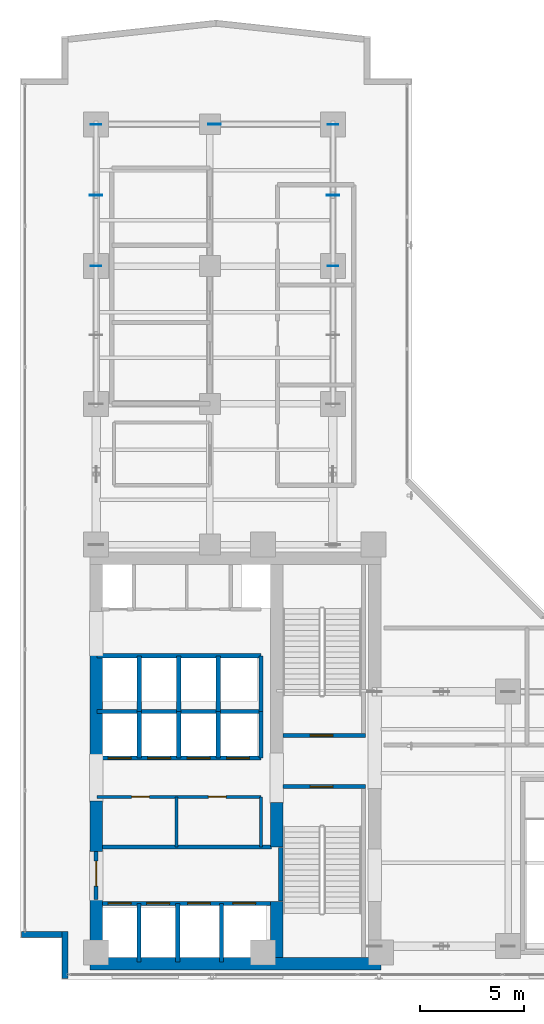
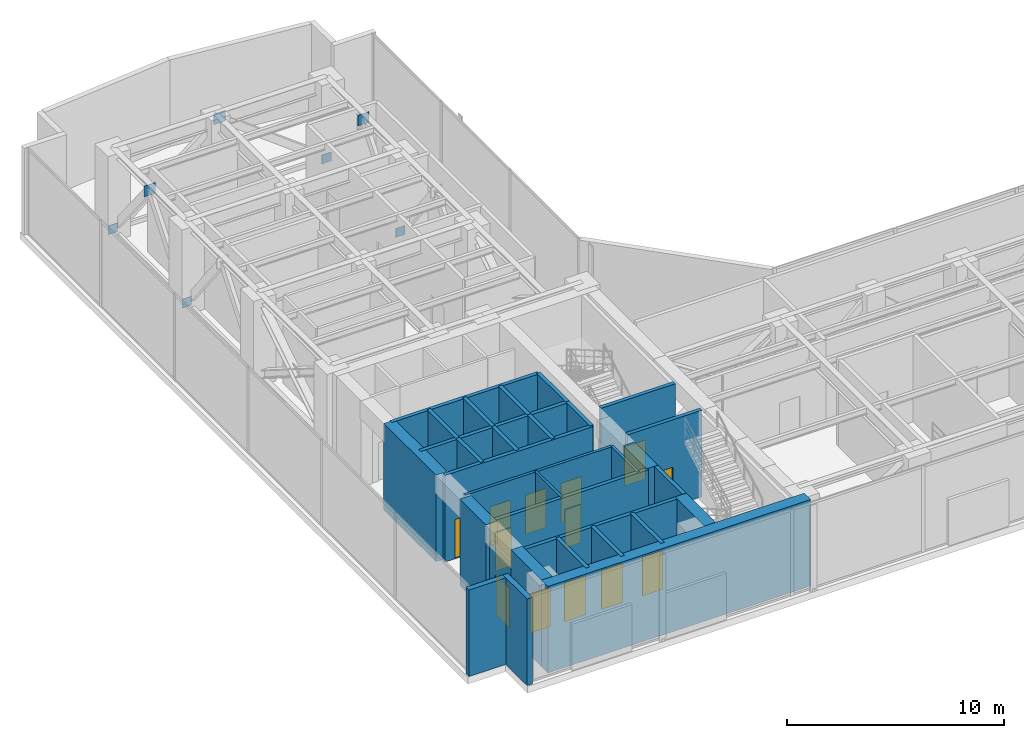
# One storey, part 30 of 36: 31 walls, 13 doors, 7 plates, 13 openings.
"""IFC4 building model written with IfcOpenShell, lengths in metres."""

from ifc_helpers import new_model, si_unit, direction, frame, frame_2d, origin, origin_with_axes, origin_2d, place, context, subcontext, project, spatial, rectangle, extrude, source, transform, mapped, material, layer, layer_set, type_object, element, fill, save


model = new_model("IFC4")

# Units and contexts
model_context = context("Model", 3, precision=1e-05, world=origin(), true_north=direction((0.0, 1.0)))
body_context = subcontext(model_context, "Body", "Model", "MODEL_VIEW")
ifc_project = project(units=[si_unit("LENGTHUNIT", "METRE"), si_unit("AREAUNIT", "SQUARE_METRE"), si_unit("VOLUMEUNIT", "CUBIC_METRE"), si_unit("PLANEANGLEUNIT", "RADIAN"), si_unit("MASSUNIT", "GRAM", prefix="KILO")], contexts=[model_context])

# Site, building, storey
site_placement = place(None, origin())
site = spatial("IfcSite", under=ifc_project, at=site_placement, CompositionType="ELEMENT")
building_placement = place(site_placement, origin())
building = spatial("IfcBuilding", under=site, at=building_placement, Name="Kolvaren Waterfront Exchange", CompositionType="ELEMENT")
storey_placement = place(building_placement, frame((0.0, 0.0, 199.39990234375)))
storey = spatial("IfcBuildingStorey", under=building, at=storey_placement, Name="L51", CompositionType="ELEMENT", Elevation=199.39990234375)

# Plates
ifc_material_1 = material(Name="Steel S460", Category="steel")
ifc_layer_1 = layer(ifc_material_1, 0.030029296875, Name="Steel S460")
ifc_layer_set_1 = layer_set([ifc_layer_1], Name="Steel S460")
plate_type_1 = type_object("IfcPlateType", Name="STR-PL-BN1", PredefinedType="SHEET", material=ifc_layer_set_1)
shared_shape_1 = source(origin_with_axes(), body_context, "Body", "SweptSolid", [
    extrude(rectangle(XDim=0.60009765625, YDim=0.030029296875, at=origin_2d()), origin(), (0.0, 0.0, 1.0), 0.60009765625),
])
for number, where, z_axis, x_axis, name in (
    (1, (7.449951171875, 41.199951171875, 4.2099609375), (0.0, 0.0, 1.0), (1.0, 0.0, 0.0), "L51 belt-truss chevron apex gusset BT5"),
    (2, (18.800048828125, 41.199951171875, 4.2099609375), (0.0, 0.0, 1.0), (1.0, 0.0, 0.0), "L51 belt-truss chevron apex gusset BT7"),
    (3, (13.125, 44.60009765625, 4.2099609375), (0.0, 0.0, 1.0), (1.0, 0.0, 0.0), "L51 belt-truss chevron apex gusset BT8"),
):
    element("IfcPlate", number, at=place(storey_placement, frame(where, z_axis=z_axis, x_axis=x_axis)), inside=storey, type_object=plate_type_1, Name=name, PredefinedType="SHEET", context=body_context, shape_type="MappedRepresentation", body=[
        mapped(shared_shape_1, transform((0.0, 0.0, 0.0), x_axis=(1.0, 0.0, 0.0), y_axis=(0.0, 1.0, 0.0), z_axis=(0.0, 0.0, 1.0), scale=1.0)),
    ])
ifc_material_2 = material(Name="Steel S355", Category="steel")
ifc_layer_2 = layer(ifc_material_2, 0.02490234375, Name="Steel S355")
ifc_layer_set_2 = layer_set([ifc_layer_2], Name="Steel S355")
plate_type_2 = type_object("IfcPlateType", Name="STR-PL-BN2", PredefinedType="SHEET", material=ifc_layer_set_2)
shared_shape_2 = source(origin_with_axes(), body_context, "Body", "SweptSolid", [
    extrude(rectangle(XDim=0.5, YDim=0.02490234375, at=origin_2d()), origin(), (0.0, 0.0, 1.0), 0.5),
])
for number, where, z_axis, x_axis, name in (
    (4, (7.449951171875, 37.800048828125, 0.0), (0.0, 0.0, 1.0), (1.0, 0.0, 0.0), "L51 belt-truss end cap plate BT4.2"),
    (5, (7.449951171875, 44.60009765625, 0.0), (0.0, 0.0, 1.0), (1.0, 0.0, 0.0), "L51 belt-truss end cap plate BT5.2"),
    (6, (18.800048828125, 37.800048828125, 0.0), (0.0, 0.0, 1.0), (1.0, 0.0, 0.0), "L51 belt-truss end cap plate BT6.2"),
    (7, (18.800048828125, 44.60009765625, 0.0), (0.0, 0.0, 1.0), (1.0, 0.0, 0.0), "L51 belt-truss end cap plate BT7.2"),
):
    element("IfcPlate", number, at=place(storey_placement, frame(where, z_axis=z_axis, x_axis=x_axis)), inside=storey, type_object=plate_type_2, Name=name, PredefinedType="SHEET", context=body_context, shape_type="MappedRepresentation", body=[
        mapped(shared_shape_2, transform((0.0, 0.0, 0.0), x_axis=(1.0, 0.0, 0.0), y_axis=(0.0, 1.0, 0.0), z_axis=(0.0, 0.0, 1.0), scale=1.0)),
    ])

# Walls
ifc_material_3 = material(Name="Precast concrete C40/50", Category="concrete")
ifc_layer_3 = layer(ifc_material_3, 0.280029296875, Name="Precast concrete C40/50")
ifc_layer_set_3 = layer_set([ifc_layer_3], Name="Precast concrete C40/50")
wall_type_1 = type_object("IfcWallType", Name="ARC-EXT-TERR-280", PredefinedType="SOLIDWALL", material=ifc_layer_set_3)
wall_1_placement = place(storey_placement, frame((5.9599609375, 3.659912109375, 0.0), z_axis=(0.0, 0.0, 1.0), x_axis=(0.0, 1.0, 0.0)))
element("IfcWall", 8, at=wall_1_placement, inside=storey, type_object=wall_type_1, Name="L51 notched corner spandrel pier SW-A", PredefinedType="SOLIDWALL", context=body_context, shape_type="SweptSolid", body=[
    extrude(rectangle(XDim=2.239990234375, YDim=0.280029296875, at=frame_2d((1.1201171875, 0.0))), origin(), (0.0, 0.0, 1.0), 4.860107421875),
])
wall_2_placement = place(storey_placement, frame((3.860107421875, 5.760009765625, 0.0), z_axis=(0.0, 0.0, 1.0), x_axis=(1.0, 0.0, 0.0)))
element("IfcWall", 9, at=wall_2_placement, inside=storey, type_object=wall_type_1, Name="L51 notched corner spandrel pier SW-B", PredefinedType="SOLIDWALL", context=body_context, shape_type="SweptSolid", body=[
    extrude(rectangle(XDim=1.9599609375, YDim=0.280029296875, at=frame_2d((0.97998046875, 0.0))), origin(), (0.0, 0.0, 1.0), 4.860107421875),
])

# Wall, opening, door
ifc_layer_4 = layer(ifc_material_3, 0.199951171875, Name="Precast concrete C40/50")
ifc_layer_set_4 = layer_set([ifc_layer_4], Name="Precast concrete C40/50")
wall_type_2 = type_object("IfcWallType", Name="ARC-FIRE-200", PredefinedType="PARTITIONING", material=ifc_layer_set_4)
wall_3_placement = place(storey_placement, frame((16.39990234375, 12.85009765625, 0.0), z_axis=(0.0, 0.0, 1.0), x_axis=(1.0, 0.0, 0.0)))
wall_3 = element("IfcWall", 10, at=wall_3_placement, inside=storey, type_object=wall_type_2, Name="L51 interior wall PW-L51-ST1-THROAT-S", PredefinedType="PARTITIONING", context=body_context, shape_type="SweptSolid", body=[
    extrude(rectangle(XDim=3.960205078125, YDim=0.199951171875, at=frame_2d((1.97998046875, 0.0))), origin(), (0.0, 0.0, 1.0), 4.860107421875),
])
opening_1_placement = place(wall_3_placement, frame((1.3037109375, 0.0, 0.0)))
opening_1 = element("IfcOpeningElement", 11, at=opening_1_placement, cuts=wall_3, Name="Opening FD2", PredefinedType="OPENING", context=body_context, shape_type="SweptSolid", body=[
    extrude(rectangle(XDim=1.10009765625, YDim=2.199951171875, at=frame_2d((0.550048828125, 1.10009765625))), frame((0.0, 0.10986328125, 0.0), z_axis=(0.0, -1.0, 0.0), x_axis=(1.0, 0.0, 0.0)), (0.0, 0.0, 1.0), 0.219970703125),
])
ifc_material_4 = material(Name="Pressed steel smoke-seal fire door", Category="steel")
door_type_1 = type_object("IfcDoorType", Name="ARC-FD-1100", OperationType="NOTDEFINED", PredefinedType="DOOR", material=ifc_material_4)
door_1_placement = place(opening_1_placement, frame((1.10009765625, 0.0, 0.0), z_axis=(0.0, 0.0, 1.0), x_axis=(-1.0, 0.0, 0.0)))
door_1 = element("IfcDoor", 12, at=door_1_placement, inside=storey, type_object=door_type_1, Name="L51 door DR-L51-ST1-IN (FD2)", OperationType="SINGLE_SWING_RIGHT", OverallHeight=2.199951171875, OverallWidth=1.10009765625, PredefinedType="DOOR", context=body_context, shape_type="SweptSolid", body=[
    extrude(rectangle(XDim=1.10009765625, YDim=2.199951171875, at=frame_2d((0.550048828125, 1.10009765625))), frame((0.0, 0.02490234375, 0.0), z_axis=(0.0, -1.0, 0.0), x_axis=(1.0, 0.0, 0.0)), (0.0, 0.0, 1.0), 0.050048828125),
])
fill(opening_1, door_1)

wall_4_placement = place(storey_placement, frame((16.409912109375, 15.300048828125, 0.0), z_axis=(0.0, 0.0, 1.0), x_axis=(1.0, 0.0, 0.0)))
wall_4 = element("IfcWall", 13, at=wall_4_placement, inside=storey, type_object=wall_type_2, Name="L51 interior wall PW-L51-ST2-THROAT-N", PredefinedType="PARTITIONING", context=body_context, shape_type="SweptSolid", body=[
    extrude(rectangle(XDim=3.9501953125, YDim=0.199951171875, at=frame_2d((1.97509765625, 0.0))), origin(), (0.0, 0.0, 1.0), 4.860107421875),
])
opening_2_placement = place(wall_4_placement, frame((1.293701171875, 0.0, 0.0)))
opening_2 = element("IfcOpeningElement", 14, at=opening_2_placement, cuts=wall_4, Name="Opening FD2", PredefinedType="OPENING", context=body_context, shape_type="SweptSolid", body=[
    extrude(rectangle(XDim=1.10009765625, YDim=2.199951171875, at=frame_2d((0.550048828125, 1.10009765625))), frame((0.0, 0.10986328125, 0.0), z_axis=(0.0, -1.0, 0.0), x_axis=(1.0, 0.0, 0.0)), (0.0, 0.0, 1.0), 0.219970703125),
])
door_2_placement = place(opening_2_placement, origin())
door_2 = element("IfcDoor", 15, at=door_2_placement, inside=storey, type_object=door_type_1, Name="L51 door DR-L51-ST2-IN (FD2)", OperationType="SINGLE_SWING_LEFT", OverallHeight=2.199951171875, OverallWidth=1.10009765625, PredefinedType="DOOR", context=body_context, shape_type="SweptSolid", body=[
    extrude(rectangle(XDim=1.10009765625, YDim=2.199951171875, at=frame_2d((0.550048828125, 1.10009765625))), frame((0.0, 0.02490234375, 0.0), z_axis=(0.0, -1.0, 0.0), x_axis=(1.0, 0.0, 0.0)), (0.0, 0.0, 1.0), 0.050048828125),
])
fill(opening_2, door_2)

# Wall
wall_5_placement = place(storey_placement, frame((7.5, 9.949951171875, 0.0), z_axis=(0.0, 0.0, 1.0), x_axis=(1.0, 0.0, 0.0)))
element("IfcWall", 16, at=wall_5_placement, inside=storey, type_object=wall_type_2, Name="L51 interior wall PW-L51-FF-N", PredefinedType="PARTITIONING", context=body_context, shape_type="SweptSolid", body=[
    extrude(rectangle(XDim=8.35009765625, YDim=0.199951171875, at=frame_2d((4.175048828125, 0.0))), origin(), (0.0, 0.0, 1.0), 4.860107421875),
])

# Wall, opening, door
wall_6_placement = place(storey_placement, frame((7.449951171875, 7.449951171875, 0.0), z_axis=(0.0, 0.0, 1.0), x_axis=(0.0, 1.0, 0.0)))
wall_6 = element("IfcWall", 17, at=wall_6_placement, inside=storey, type_object=wall_type_2, Name="L51 interior wall PW-L51-FF-W-DOOR", PredefinedType="PARTITIONING", context=body_context, shape_type="SweptSolid", body=[
    extrude(rectangle(XDim=2.300048828125, YDim=0.199951171875, at=frame_2d((1.14990234375, 0.0))), origin(), (0.0, 0.0, 1.0), 3.840087890625),
])
opening_3_placement = place(wall_6_placement, frame((0.63330078125, 0.0, 0.0)))
opening_3 = element("IfcOpeningElement", 18, at=opening_3_placement, cuts=wall_6, Name="Opening FD3", PredefinedType="OPENING", context=body_context, shape_type="SweptSolid", body=[
    extrude(rectangle(XDim=1.199951171875, YDim=2.25, at=frame_2d((0.60009765625, 1.125))), frame((0.0, 0.10986328125, 0.0), z_axis=(0.0, -1.0, 0.0), x_axis=(1.0, 0.0, 0.0)), (0.0, 0.0, 1.0), 0.219970703125),
])
ifc_material_5 = material(Name="Pressed steel fire door", Category="steel")
door_type_2 = type_object("IfcDoorType", Name="ARC-FD-1200", OperationType="NOTDEFINED", PredefinedType="DOOR", material=ifc_material_5)
door_3_placement = place(opening_3_placement, frame((1.199951171875, 0.0, 0.0), z_axis=(0.0, 0.0, 1.0), x_axis=(-1.0, 0.0, 0.0)))
door_3 = element("IfcDoor", 19, at=door_3_placement, inside=storey, type_object=door_type_2, Name="L51 door DR-L51-FF-OUT (FD3)", OperationType="SINGLE_SWING_LEFT", OverallHeight=2.25, OverallWidth=1.199951171875, PredefinedType="DOOR", context=body_context, shape_type="SweptSolid", body=[
    extrude(rectangle(XDim=1.199951171875, YDim=2.25, at=frame_2d((0.60009765625, 1.125))), frame((0.0, 0.02490234375, 0.0), z_axis=(0.0, -1.0, 0.0), x_axis=(1.0, 0.0, 0.0)), (0.0, 0.0, 1.0), 0.050048828125),
])
fill(opening_3, door_3)

# Wall
ifc_material_6 = material(Name="Acoustic gypsum steel stud", Category="steel")
ifc_layer_5 = layer(ifc_material_6, 0.125, Name="Acoustic gypsum steel stud")
ifc_layer_set_5 = layer_set([ifc_layer_5], Name="Acoustic gypsum steel stud")
wall_type_3 = type_object("IfcWallType", Name="ARC-PART-125", PredefinedType="PARTITIONING", material=ifc_layer_set_5)
wall_7_placement = place(storey_placement, frame((11.300048828125, 9.949951171875, 0.0), z_axis=(0.0, 0.0, 1.0), x_axis=(0.0, 1.0, 0.0)))
element("IfcWall", 20, at=wall_7_placement, inside=storey, type_object=wall_type_3, Name="L51 interior wall PW-L51-REC-PL-MID", PredefinedType="PARTITIONING", context=body_context, shape_type="SweptSolid", body=[
    extrude(rectangle(XDim=2.41015625, YDim=0.125, at=frame_2d((1.205078125, 0.0))), origin(), (0.0, 0.0, 1.0), 4.860107421875),
])

# Wall, openings, doors
ifc_material_7 = material(Name="Gypsum fireboard steel stud", Category="steel")
ifc_layer_6 = layer(ifc_material_7, 0.14990234375, Name="Gypsum fireboard steel stud")
ifc_layer_set_6 = layer_set([ifc_layer_6], Name="Gypsum fireboard steel stud")
wall_type_4 = type_object("IfcWallType", Name="ARC-PART-150", PredefinedType="PARTITIONING", material=ifc_layer_set_6)
wall_8_placement = place(storey_placement, frame((7.5, 12.360107421875, 0.0), z_axis=(0.0, 0.0, 1.0), x_axis=(1.0, 0.0, 0.0)))
wall_8 = element("IfcWall", 21, at=wall_8_placement, inside=storey, type_object=wall_type_4, Name="L51 interior wall PW-L51-REC-PL-N", PredefinedType="PARTITIONING", context=body_context, shape_type="SweptSolid", body=[
    extrude(rectangle(XDim=7.85009765625, YDim=0.14990234375, at=frame_2d((3.925048828125, 0.0))), origin(), (0.0, 0.0, 1.0), 4.860107421875),
])
opening_4_placement = place(wall_8_placement, frame((1.64990234375, 0.0, 0.0)))
opening_4 = element("IfcOpeningElement", 22, at=opening_4_placement, cuts=wall_8, Name="Opening D01", PredefinedType="OPENING", context=body_context, shape_type="SweptSolid", body=[
    extrude(rectangle(XDim=0.85009765625, YDim=2.14990234375, at=frame_2d((0.425048828125, 1.074951171875))), frame((0.0, 0.0849609375, 0.0), z_axis=(0.0, -1.0, 0.0), x_axis=(1.0, 0.0, 0.0)), (0.0, 0.0, 1.0), 0.169921875),
])
opening_5_placement = place(wall_8_placement, frame((5.329345703125, 0.0, 0.0)))
opening_5 = element("IfcOpeningElement", 23, at=opening_5_placement, cuts=wall_8, Name="Opening D01", PredefinedType="OPENING", context=body_context, shape_type="SweptSolid", body=[
    extrude(rectangle(XDim=0.85009765625, YDim=2.14990234375, at=frame_2d((0.425048828125, 1.074951171875))), frame((0.0, 0.0849609375, 0.0), z_axis=(0.0, -1.0, 0.0), x_axis=(1.0, 0.0, 0.0)), (0.0, 0.0, 1.0), 0.169921875),
])
ifc_material_8 = material(Name="Oak veneer timber leaf", Category="wood")
door_type_3 = type_object("IfcDoorType", Name="ARC-DR-900", OperationType="NOTDEFINED", PredefinedType="DOOR", material=ifc_material_8)
door_4_placement = place(opening_4_placement, origin())
door_4 = element("IfcDoor", 24, at=door_4_placement, inside=storey, type_object=door_type_3, Name="L51 door DR-L51-REC-PL-D1 (D01)", OperationType="SINGLE_SWING_RIGHT", OverallHeight=2.14990234375, OverallWidth=0.85009765625, PredefinedType="DOOR", context=body_context, shape_type="SweptSolid", body=[
    extrude(rectangle(XDim=0.85009765625, YDim=2.14990234375, at=frame_2d((0.425048828125, 1.074951171875))), frame((0.0, 0.02490234375, 0.0), z_axis=(0.0, -1.0, 0.0), x_axis=(1.0, 0.0, 0.0)), (0.0, 0.0, 1.0), 0.050048828125),
])
fill(opening_4, door_4)
door_5_placement = place(opening_5_placement, origin())
door_5 = element("IfcDoor", 25, at=door_5_placement, inside=storey, type_object=door_type_3, Name="L51 door DR-L51-REC-PL-D2 (D01)", OperationType="SINGLE_SWING_LEFT", OverallHeight=2.14990234375, OverallWidth=0.85009765625, PredefinedType="DOOR", context=body_context, shape_type="SweptSolid", body=[
    extrude(rectangle(XDim=0.85009765625, YDim=2.14990234375, at=frame_2d((0.425048828125, 1.074951171875))), frame((0.0, 0.02490234375, 0.0), z_axis=(0.0, -1.0, 0.0), x_axis=(1.0, 0.0, 0.0)), (0.0, 0.0, 1.0), 0.050048828125),
])
fill(opening_5, door_5)

# Walls
wall_9_placement = place(storey_placement, frame((15.35009765625, 9.949951171875, 0.0), z_axis=(0.0, 0.0, 1.0), x_axis=(0.0, 1.0, 0.0)))
element("IfcWall", 26, at=wall_9_placement, inside=storey, type_object=wall_type_4, Name="L51 interior wall PW-L51-REC-PL-E", PredefinedType="PARTITIONING", context=body_context, shape_type="SweptSolid", body=[
    extrude(rectangle(XDim=2.41015625, YDim=0.14990234375, at=frame_2d((1.205078125, 0.0))), origin(), (0.0, 0.0, 1.0), 4.860107421875),
])
ifc_material_9 = material(Name="Concrete C40/50", Category="concrete")
ifc_layer_7 = layer(ifc_material_9, 0.199951171875, Name="Concrete C40/50")
ifc_layer_set_7 = layer_set([ifc_layer_7], Name="Concrete C40/50")
wall_type_5 = type_object("IfcWallType", Name="ARC-SHAFT-200", PredefinedType="PARTITIONING", material=ifc_layer_set_7)
wall_10_placement = place(storey_placement, frame((16.300048828125, 7.360107421875, 0.0), z_axis=(0.0, 0.0, 1.0), x_axis=(0.0, 1.0, 0.0)))
element("IfcWall", 27, at=wall_10_placement, inside=storey, type_object=wall_type_5, Name="L51 structural stairwell wall PW-L51-ST1-W", PredefinedType="SHEAR", context=body_context, shape_type="SweptSolid", body=[
    extrude(rectangle(XDim=2.579833984375, YDim=0.199951171875, at=frame_2d((1.2900390625, 0.0))), origin(), (0.0, 0.0, 1.0), 4.860107421875),
])

# Wall, openings, doors
wall_11_placement = place(storey_placement, frame((7.5, 7.25, 0.0), z_axis=(0.0, 0.0, 1.0), x_axis=(1.0, 0.0, 0.0)))
wall_11 = element("IfcWall", 28, at=wall_11_placement, inside=storey, type_object=wall_type_5, Name="L51 interior wall PW-L51-FF-S", PredefinedType="PARTITIONING", context=body_context, shape_type="SweptSolid", body=[
    extrude(rectangle(XDim=8.35009765625, YDim=0.199951171875, at=frame_2d((4.175048828125, 0.0))), origin(), (0.0, 0.0, 1.0), 4.860107421875),
])
opening_6_placement = place(wall_11_placement, frame((0.530029296875, 0.0, 0.0)))
opening_6 = element("IfcOpeningElement", 29, at=opening_6_placement, cuts=wall_11, Name="Opening LD1", PredefinedType="OPENING", context=body_context, shape_type="SweptSolid", body=[
    extrude(rectangle(XDim=1.10009765625, YDim=2.199951171875, at=frame_2d((0.550048828125, 1.10009765625))), frame((0.0, 0.10986328125, 0.0), z_axis=(0.0, -1.0, 0.0), x_axis=(1.0, 0.0, 0.0)), (0.0, 0.0, 1.0), 0.219970703125),
])
opening_7_placement = place(wall_11_placement, frame((2.3701171875, 0.0, 0.0)))
opening_7 = element("IfcOpeningElement", 30, at=opening_7_placement, cuts=wall_11, Name="Opening LD1", PredefinedType="OPENING", context=body_context, shape_type="SweptSolid", body=[
    extrude(rectangle(XDim=1.10009765625, YDim=2.199951171875, at=frame_2d((0.550048828125, 1.10009765625))), frame((0.0, 0.10986328125, 0.0), z_axis=(0.0, -1.0, 0.0), x_axis=(1.0, 0.0, 0.0)), (0.0, 0.0, 1.0), 0.219970703125),
])
opening_8_placement = place(wall_11_placement, frame((4.330078125, 0.0, 0.0)))
opening_8 = element("IfcOpeningElement", 31, at=opening_8_placement, cuts=wall_11, Name="Opening LD1", PredefinedType="OPENING", context=body_context, shape_type="SweptSolid", body=[
    extrude(rectangle(XDim=1.10009765625, YDim=2.199951171875, at=frame_2d((0.550048828125, 1.10009765625))), frame((0.0, 0.10986328125, 0.0), z_axis=(0.0, -1.0, 0.0), x_axis=(1.0, 0.0, 0.0)), (0.0, 0.0, 1.0), 0.219970703125),
])
opening_9_placement = place(wall_11_placement, frame((6.5, 0.0, 0.0)))
opening_9 = element("IfcOpeningElement", 32, at=opening_9_placement, cuts=wall_11, Name="Opening LD1", PredefinedType="OPENING", context=body_context, shape_type="SweptSolid", body=[
    extrude(rectangle(XDim=1.10009765625, YDim=2.199951171875, at=frame_2d((0.550048828125, 1.10009765625))), frame((0.0, 0.10986328125, 0.0), z_axis=(0.0, -1.0, 0.0), x_axis=(1.0, 0.0, 0.0)), (0.0, 0.0, 1.0), 0.219970703125),
])
ifc_material_10 = material(Name="Stainless steel sliding landing door", Category="steel")
door_type_4 = type_object("IfcDoorType", Name="ARC-LD-FF", OperationType="SLIDING_TO_LEFT", PredefinedType="DOOR", material=ifc_material_10)
door_6_placement = place(opening_6_placement, origin())
door_6 = element("IfcDoor", 33, at=door_6_placement, inside=storey, type_object=door_type_4, Name="L51 door LD-L51-FFL1 (LD1)", OperationType="SLIDING_TO_LEFT", OverallHeight=2.199951171875, OverallWidth=1.10009765625, PredefinedType="DOOR", context=body_context, shape_type="SweptSolid", body=[
    extrude(rectangle(XDim=1.10009765625, YDim=2.199951171875, at=frame_2d((0.550048828125, 1.10009765625))), frame((0.0, 0.02490234375, 0.0), z_axis=(0.0, -1.0, 0.0), x_axis=(1.0, 0.0, 0.0)), (0.0, 0.0, 1.0), 0.050048828125),
])
fill(opening_6, door_6)
door_7_placement = place(opening_7_placement, origin())
door_7 = element("IfcDoor", 34, at=door_7_placement, inside=storey, type_object=door_type_4, Name="L51 door LD-L51-FFL2 (LD1)", OperationType="SLIDING_TO_LEFT", OverallHeight=2.199951171875, OverallWidth=1.10009765625, PredefinedType="DOOR", context=body_context, shape_type="SweptSolid", body=[
    extrude(rectangle(XDim=1.10009765625, YDim=2.199951171875, at=frame_2d((0.550048828125, 1.10009765625))), frame((0.0, 0.02490234375, 0.0), z_axis=(0.0, -1.0, 0.0), x_axis=(1.0, 0.0, 0.0)), (0.0, 0.0, 1.0), 0.050048828125),
])
fill(opening_7, door_7)
door_8_placement = place(opening_8_placement, origin())
door_8 = element("IfcDoor", 35, at=door_8_placement, inside=storey, type_object=door_type_4, Name="L51 door LD-L51-GL1 (LD1)", OperationType="SLIDING_TO_LEFT", OverallHeight=2.199951171875, OverallWidth=1.10009765625, PredefinedType="DOOR", context=body_context, shape_type="SweptSolid", body=[
    extrude(rectangle(XDim=1.10009765625, YDim=2.199951171875, at=frame_2d((0.550048828125, 1.10009765625))), frame((0.0, 0.02490234375, 0.0), z_axis=(0.0, -1.0, 0.0), x_axis=(1.0, 0.0, 0.0)), (0.0, 0.0, 1.0), 0.050048828125),
])
fill(opening_8, door_8)
door_9_placement = place(opening_9_placement, origin())
door_9 = element("IfcDoor", 36, at=door_9_placement, inside=storey, type_object=door_type_4, Name="L51 door LD-L51-GL2 (LD1)", OperationType="SLIDING_TO_LEFT", OverallHeight=2.199951171875, OverallWidth=1.10009765625, PredefinedType="DOOR", context=body_context, shape_type="SweptSolid", body=[
    extrude(rectangle(XDim=1.10009765625, YDim=2.199951171875, at=frame_2d((0.550048828125, 1.10009765625))), frame((0.0, 0.02490234375, 0.0), z_axis=(0.0, -1.0, 0.0), x_axis=(1.0, 0.0, 0.0)), (0.0, 0.0, 1.0), 0.050048828125),
])
fill(opening_9, door_9)

# Walls
for number, where, z_axis, x_axis, name in (
    (37, (9.5, 4.449951171875, 0.0), (0.0, 0.0, 1.0), (0.0, 1.0, 0.0), "L51 interior wall PW-L51-SH1-DIV-95"),
    (38, (11.360107421875, 4.449951171875, 0.0), (0.0, 0.0, 1.0), (0.0, 1.0, 0.0), "L51 interior wall PW-L51-SH1-DIV-113"),
    (39, (13.4599609375, 4.449951171875, 0.0), (0.0, 0.0, 1.0), (0.0, 1.0, 0.0), "L51 interior wall PW-L51-SH1-DIV-134"),
):
    element("IfcWall", number, at=place(storey_placement, frame(where, z_axis=z_axis, x_axis=x_axis)), inside=storey, type_object=wall_type_5, Name=name, PredefinedType="PARTITIONING", context=body_context, shape_type="SweptSolid", body=[
        extrude(rectangle(XDim=2.800048828125, YDim=0.199951171875, at=frame_2d((1.39990234375, 0.0))), origin(), (0.0, 0.0, 1.0), 4.860107421875),
    ])

# Wall, openings, doors
wall_12_placement = place(storey_placement, frame((7.5, 14.219970703125, 0.0), z_axis=(0.0, 0.0, 1.0), x_axis=(1.0, 0.0, 0.0)))
wall_12 = element("IfcWall", 40, at=wall_12_placement, inside=storey, type_object=wall_type_5, Name="L51 interior wall PW-L51-PM-S", PredefinedType="PARTITIONING", context=body_context, shape_type="SweptSolid", body=[
    extrude(rectangle(XDim=7.85009765625, YDim=0.199951171875, at=frame_2d((3.925048828125, 0.0))), origin(), (0.0, 0.0, 1.0), 4.860107421875),
])
opening_10_placement = place(wall_12_placement, frame((0.530029296875, 0.0, 0.0)))
opening_10 = element("IfcOpeningElement", 41, at=opening_10_placement, cuts=wall_12, Name="Opening LD2", PredefinedType="OPENING", context=body_context, shape_type="SweptSolid", body=[
    extrude(rectangle(XDim=1.10009765625, YDim=2.199951171875, at=frame_2d((0.550048828125, 1.10009765625))), frame((0.0, 0.10986328125, 0.0), z_axis=(0.0, -1.0, 0.0), x_axis=(1.0, 0.0, 0.0)), (0.0, 0.0, 1.0), 0.219970703125),
])
opening_11_placement = place(wall_12_placement, frame((2.419921875, 0.0, 0.0)))
opening_11 = element("IfcOpeningElement", 42, at=opening_11_placement, cuts=wall_12, Name="Opening LD2", PredefinedType="OPENING", context=body_context, shape_type="SweptSolid", body=[
    extrude(rectangle(XDim=1.10009765625, YDim=2.199951171875, at=frame_2d((0.550048828125, 1.10009765625))), frame((0.0, 0.10986328125, 0.0), z_axis=(0.0, -1.0, 0.0), x_axis=(1.0, 0.0, 0.0)), (0.0, 0.0, 1.0), 0.219970703125),
])
opening_12_placement = place(wall_12_placement, frame((4.31005859375, 0.0, 0.0)))
opening_12 = element("IfcOpeningElement", 43, at=opening_12_placement, cuts=wall_12, Name="Opening LD2", PredefinedType="OPENING", context=body_context, shape_type="SweptSolid", body=[
    extrude(rectangle(XDim=1.10009765625, YDim=2.199951171875, at=frame_2d((0.550048828125, 1.10009765625))), frame((0.0, 0.10986328125, 0.0), z_axis=(0.0, -1.0, 0.0), x_axis=(1.0, 0.0, 0.0)), (0.0, 0.0, 1.0), 0.219970703125),
])
opening_13_placement = place(wall_12_placement, frame((6.199951171875, 0.0, 0.0)))
opening_13 = element("IfcOpeningElement", 44, at=opening_13_placement, cuts=wall_12, Name="Opening LD2", PredefinedType="OPENING", context=body_context, shape_type="SweptSolid", body=[
    extrude(rectangle(XDim=1.10009765625, YDim=2.199951171875, at=frame_2d((0.550048828125, 1.10009765625))), frame((0.0, 0.10986328125, 0.0), z_axis=(0.0, -1.0, 0.0), x_axis=(1.0, 0.0, 0.0)), (0.0, 0.0, 1.0), 0.219970703125),
])
ifc_material_11 = material(Name="Brushed bronze sliding landing door", Category="aluminium")
door_type_5 = type_object("IfcDoorType", Name="ARC-LD-PAX", OperationType="SLIDING_TO_LEFT", PredefinedType="DOOR", material=ifc_material_11)
door_10_placement = place(opening_10_placement, frame((1.10009765625, 0.0, 0.0), z_axis=(0.0, 0.0, 1.0), x_axis=(-1.0, 0.0, 0.0)))
door_10 = element("IfcDoor", 45, at=door_10_placement, inside=storey, type_object=door_type_5, Name="L51 door LD-L51-PM1 (LD2)", OperationType="SLIDING_TO_LEFT", OverallHeight=2.199951171875, OverallWidth=1.10009765625, PredefinedType="DOOR", context=body_context, shape_type="SweptSolid", body=[
    extrude(rectangle(XDim=1.10009765625, YDim=2.199951171875, at=frame_2d((0.550048828125, 1.10009765625))), frame((0.0, 0.02490234375, 0.0), z_axis=(0.0, -1.0, 0.0), x_axis=(1.0, 0.0, 0.0)), (0.0, 0.0, 1.0), 0.050048828125),
])
fill(opening_10, door_10)
door_11_placement = place(opening_11_placement, frame((1.10009765625, 0.0, 0.0), z_axis=(0.0, 0.0, 1.0), x_axis=(-1.0, 0.0, 0.0)))
door_11 = element("IfcDoor", 46, at=door_11_placement, inside=storey, type_object=door_type_5, Name="L51 door LD-L51-PM2 (LD2)", OperationType="SLIDING_TO_LEFT", OverallHeight=2.199951171875, OverallWidth=1.10009765625, PredefinedType="DOOR", context=body_context, shape_type="SweptSolid", body=[
    extrude(rectangle(XDim=1.10009765625, YDim=2.199951171875, at=frame_2d((0.550048828125, 1.10009765625))), frame((0.0, 0.02490234375, 0.0), z_axis=(0.0, -1.0, 0.0), x_axis=(1.0, 0.0, 0.0)), (0.0, 0.0, 1.0), 0.050048828125),
])
fill(opening_11, door_11)
door_12_placement = place(opening_12_placement, frame((1.10009765625, 0.0, 0.0), z_axis=(0.0, 0.0, 1.0), x_axis=(-1.0, 0.0, 0.0)))
door_12 = element("IfcDoor", 47, at=door_12_placement, inside=storey, type_object=door_type_5, Name="L51 door LD-L51-PM3 (LD2)", OperationType="SLIDING_TO_LEFT", OverallHeight=2.199951171875, OverallWidth=1.10009765625, PredefinedType="DOOR", context=body_context, shape_type="SweptSolid", body=[
    extrude(rectangle(XDim=1.10009765625, YDim=2.199951171875, at=frame_2d((0.550048828125, 1.10009765625))), frame((0.0, 0.02490234375, 0.0), z_axis=(0.0, -1.0, 0.0), x_axis=(1.0, 0.0, 0.0)), (0.0, 0.0, 1.0), 0.050048828125),
])
fill(opening_12, door_12)
door_13_placement = place(opening_13_placement, frame((1.10009765625, 0.0, 0.0), z_axis=(0.0, 0.0, 1.0), x_axis=(-1.0, 0.0, 0.0)))
door_13 = element("IfcDoor", 48, at=door_13_placement, inside=storey, type_object=door_type_5, Name="L51 door LD-L51-PM4 (LD2)", OperationType="SLIDING_TO_LEFT", OverallHeight=2.199951171875, OverallWidth=1.10009765625, PredefinedType="DOOR", context=body_context, shape_type="SweptSolid", body=[
    extrude(rectangle(XDim=1.10009765625, YDim=2.199951171875, at=frame_2d((0.550048828125, 1.10009765625))), frame((0.0, 0.02490234375, 0.0), z_axis=(0.0, -1.0, 0.0), x_axis=(1.0, 0.0, 0.0)), (0.0, 0.0, 1.0), 0.050048828125),
])
fill(opening_13, door_13)

# Walls
wall_13_placement = place(storey_placement, frame((7.5, 16.449951171875, 0.0), z_axis=(0.0, 0.0, 1.0), x_axis=(1.0, 0.0, 0.0)))
element("IfcWall", 49, at=wall_13_placement, inside=storey, type_object=wall_type_5, Name="L51 interior wall PW-L51-PM-N", PredefinedType="PARTITIONING", context=body_context, shape_type="SweptSolid", body=[
    extrude(rectangle(XDim=7.85009765625, YDim=0.199951171875, at=frame_2d((3.925048828125, 0.0))), origin(), (0.0, 0.0, 1.0), 4.860107421875),
])
for number, where, z_axis, x_axis, name in (
    (50, (15.35009765625, 14.219970703125, 0.0), (0.0, 0.0, 1.0), (0.0, 1.0, 0.0), "L51 interior wall PW-L51-PM-E"),
    (51, (9.52001953125, 14.219970703125, 0.0), (0.0, 0.0, 1.0), (0.0, 1.0, 0.0), "L51 interior wall PW-L51-SH3-DIV-95"),
    (52, (11.409912109375, 14.219970703125, 0.0), (0.0, 0.0, 1.0), (0.0, 1.0, 0.0), "L51 interior wall PW-L51-SH3-DIV-114"),
    (53, (13.300048828125, 14.219970703125, 0.0), (0.0, 0.0, 1.0), (0.0, 1.0, 0.0), "L51 interior wall PW-L51-SH3-DIV-133"),
):
    element("IfcWall", number, at=place(storey_placement, frame(where, z_axis=z_axis, x_axis=x_axis)), inside=storey, type_object=wall_type_5, Name=name, PredefinedType="PARTITIONING", context=body_context, shape_type="SweptSolid", body=[
        extrude(rectangle(XDim=2.22998046875, YDim=0.199951171875, at=frame_2d((1.114990234375, 0.0))), origin(), (0.0, 0.0, 1.0), 4.860107421875),
    ])
wall_14_placement = place(storey_placement, frame((7.5, 19.1201171875, 0.0), z_axis=(0.0, 0.0, 1.0), x_axis=(1.0, 0.0, 0.0)))
element("IfcWall", 54, at=wall_14_placement, inside=storey, type_object=wall_type_5, Name="L51 interior wall PW-L51-PH-N", PredefinedType="PARTITIONING", context=body_context, shape_type="SweptSolid", body=[
    extrude(rectangle(XDim=7.85009765625, YDim=0.199951171875, at=frame_2d((3.925048828125, 0.0))), origin(), (0.0, 0.0, 1.0), 4.860107421875),
])
for number, where, z_axis, x_axis, name in (
    (55, (15.35009765625, 16.449951171875, 0.0), (0.0, 0.0, 1.0), (0.0, 1.0, 0.0), "L51 interior wall PW-L51-PH-E"),
    (56, (9.52001953125, 16.449951171875, 0.0), (0.0, 0.0, 1.0), (0.0, 1.0, 0.0), "L51 interior wall PW-L51-SH4-DIV-95"),
    (57, (11.409912109375, 16.449951171875, 0.0), (0.0, 0.0, 1.0), (0.0, 1.0, 0.0), "L51 interior wall PW-L51-SH4-DIV-114"),
    (58, (13.300048828125, 16.449951171875, 0.0), (0.0, 0.0, 1.0), (0.0, 1.0, 0.0), "L51 interior wall PW-L51-SH4-DIV-133"),
):
    element("IfcWall", number, at=place(storey_placement, frame(where, z_axis=z_axis, x_axis=x_axis)), inside=storey, type_object=wall_type_5, Name=name, PredefinedType="PARTITIONING", context=body_context, shape_type="SweptSolid", body=[
        extrude(rectangle(XDim=2.670166015625, YDim=0.199951171875, at=frame_2d((1.3349609375, 0.0))), origin(), (0.0, 0.0, 1.0), 4.860107421875),
    ])
ifc_material_12 = material(Name="Concrete C60/75", Category="concrete")
ifc_layer_8 = layer(ifc_material_12, 0.60009765625, Name="Concrete C60/75")
ifc_layer_set_8 = layer_set([ifc_layer_8], Name="Concrete C60/75")
wall_type_6 = type_object("IfcWallType", Name="STR-CWALL-600", PredefinedType="SHEAR", material=ifc_layer_set_8)
wall_15_placement = place(storey_placement, frame((7.14990234375, 4.35009765625, 0.0), z_axis=(0.0, 0.0, 1.0), x_axis=(1.0, 0.0, 0.0)))
element("IfcWall", 59, at=wall_15_placement, inside=storey, type_object=wall_type_6, Name="L51 rear-core shear wall S", PredefinedType="SHEAR", context=body_context, shape_type="SweptSolid", body=[
    extrude(rectangle(XDim=13.9501953125, YDim=0.60009765625, at=frame_2d((6.97509765625, 0.0))), origin(), (0.0, 0.0, 1.0), 4.860107421875),
])
wall_16_placement = place(storey_placement, frame((7.449951171875, 4.64990234375, 0.0), z_axis=(0.0, 0.0, 1.0), x_axis=(0.0, 1.0, 0.0)))
element("IfcWall", 60, at=wall_16_placement, inside=storey, type_object=wall_type_6, Name="L51 rear-core shear wall W1", PredefinedType="SHEAR", context=body_context, shape_type="SweptSolid", body=[
    extrude(rectangle(XDim=2.800048828125, YDim=0.60009765625, at=frame_2d((1.39990234375, 0.0))), origin(), (0.0, 0.0, 1.0), 4.860107421875),
])
wall_17_placement = place(storey_placement, frame((7.449951171875, 9.75, 0.0), z_axis=(0.0, 0.0, 1.0), x_axis=(0.0, 1.0, 0.0)))
element("IfcWall", 61, at=wall_17_placement, inside=storey, type_object=wall_type_6, Name="L51 rear-core shear wall W2A", PredefinedType="SHEAR", context=body_context, shape_type="SweptSolid", body=[
    extrude(rectangle(XDim=2.39990234375, YDim=0.60009765625, at=frame_2d((1.199951171875, 0.0))), origin(), (0.0, 0.0, 1.0), 4.860107421875),
])
wall_18_placement = place(storey_placement, frame((7.449951171875, 14.35009765625, 0.0), z_axis=(0.0, 0.0, 1.0), x_axis=(0.0, 1.0, 0.0)))
element("IfcWall", 62, at=wall_18_placement, inside=storey, type_object=wall_type_6, Name="L51 rear-core shear wall W2B", PredefinedType="SHEAR", context=body_context, shape_type="SweptSolid", body=[
    extrude(rectangle(XDim=4.809814453125, YDim=0.60009765625, at=frame_2d((2.40478515625, 0.0))), origin(), (0.0, 0.0, 1.0), 4.860107421875),
])
wall_19_placement = place(storey_placement, frame((16.10009765625, 4.64990234375, 0.0), z_axis=(0.0, 0.0, 1.0), x_axis=(0.0, 1.0, 0.0)))
element("IfcWall", 63, at=wall_19_placement, inside=storey, type_object=wall_type_6, Name="L51 rear-core shear wall M1", PredefinedType="SHEAR", context=body_context, shape_type="SweptSolid", body=[
    extrude(rectangle(XDim=2.7001953125, YDim=0.60009765625, at=frame_2d((1.35009765625, 0.0))), origin(), (0.0, 0.0, 1.0), 4.860107421875),
])
wall_20_placement = place(storey_placement, frame((16.10009765625, 9.949951171875, 0.0), z_axis=(0.0, 0.0, 1.0), x_axis=(0.0, 1.0, 0.0)))
element("IfcWall", 64, at=wall_20_placement, inside=storey, type_object=wall_type_6, Name="L51 rear-core shear wall M2", PredefinedType="SHEAR", context=body_context, shape_type="SweptSolid", body=[
    extrude(rectangle(XDim=2.150146484375, YDim=0.60009765625, at=frame_2d((1.0751953125, 0.0))), origin(), (0.0, 0.0, 1.0), 4.860107421875),
])

save(model, "model.ifc")
